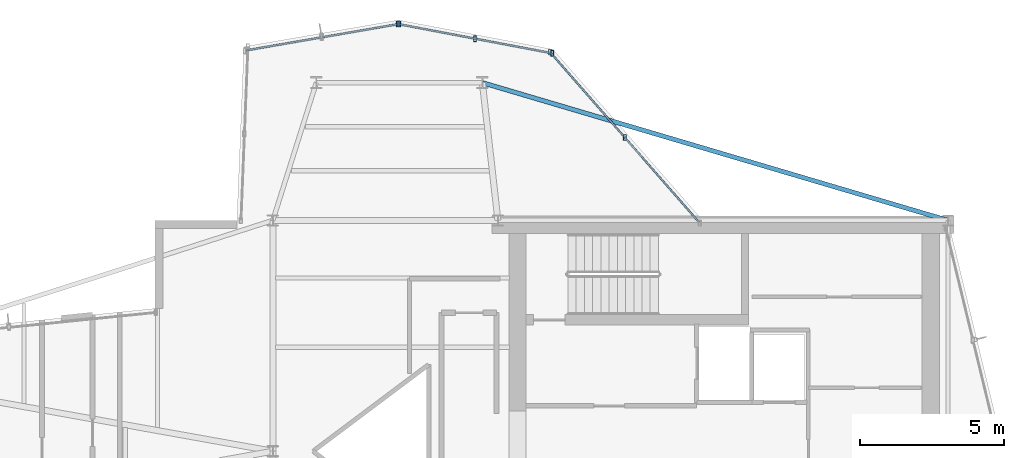
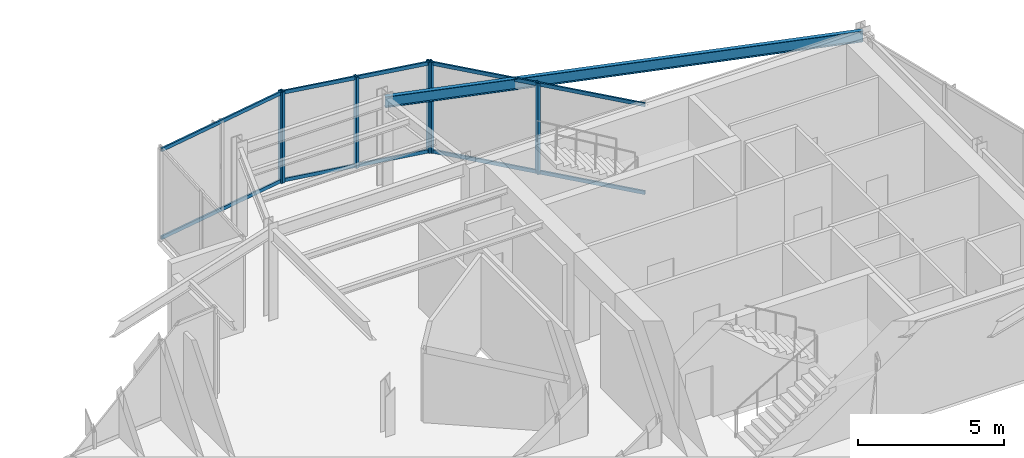
# One storey, part 7 of 15: 12 members, 1 beam, 3 elements without a shape of their own.
"""IFC4 building model written with IfcOpenShell, lengths in metres."""

from ifc_helpers import new_model, si_unit, direction, frame, origin, origin_2d, place, context, subcontext, project, spatial, hollow_rectangle, i_section, extrude, material, layer, layer_set, material_profile, profile_set, type_object, element, aggregate, save


model = new_model("IFC4")

# Units and contexts
model_context = context("Model", 3, precision=1e-05, world=origin(), true_north=direction((0.0, 1.0)))
body_context = subcontext(model_context, "Body", "Model", "MODEL_VIEW")
ifc_project = project(units=[si_unit("LENGTHUNIT", "METRE"), si_unit("AREAUNIT", "SQUARE_METRE"), si_unit("VOLUMEUNIT", "CUBIC_METRE"), si_unit("PLANEANGLEUNIT", "RADIAN"), si_unit("MASSUNIT", "GRAM", prefix="KILO")], contexts=[model_context])

# Site, building, storey
site_placement = place(None, origin())
site = spatial("IfcSite", under=ifc_project, at=site_placement, CompositionType="ELEMENT")
building_placement = place(site_placement, origin())
building = spatial("IfcBuilding", under=site, at=building_placement, Name="Veymaron Broadcast Tower", CompositionType="ELEMENT")
storey_placement = place(building_placement, frame((0.0, 0.0, 266.85009765625)))
storey = spatial("IfcBuildingStorey", under=building, at=storey_placement, Name="L62", CompositionType="ELEMENT", Elevation=266.85009765625)

# Beam
ifc_material_1 = material(Name="Structural steel ASTM A992 Gr 50", Category="steel")
ifc_material_profile_1 = material_profile(ifc_material_1, i_section(OverallWidth=0.154052734375, OverallDepth=0.458984375, WebThickness=0.009033203125, FlangeThickness=0.015380859375, at=origin_2d()), Name="W460X68")
ifc_profile_set_1 = profile_set([ifc_material_profile_1], Name="Structural steel ASTM A992 Gr 50")
beam_type = type_object("IfcBeamType", Name="BM-SP2", PredefinedType="SPANDREL", material=ifc_profile_set_1)
beam_placement = place(storey_placement, frame((54.60009765625, 32.0, 3.580322265625), z_axis=(-0.958955148663, 0.283557794556, 0.0), x_axis=(-0.283557794556, -0.958955148663, 0.0)))
element("IfcBeam", 1, at=beam_placement, inside=storey, type_object=beam_type, Name="L62 primary structural floor girder", PredefinedType="SPANDREL", context=body_context, shape_type="SweptSolid", body=[
    extrude(i_section(OverallWidth=0.154052734375, OverallDepth=0.458984375, WebThickness=0.009033203125, FlangeThickness=0.015380859375, at=origin_2d()), origin(), (0.0, 0.0, 1.0), 16.828857421875),
])

# Curtain wall, members
ifc_material_2 = material(Name="Anodised aluminium AA 6063-T6 and laminated low-E dark glass", Category="aluminium")
ifc_layer = layer(ifc_material_2, 0.179931640625)
ifc_layer_set = layer_set([ifc_layer], Name="Anodised aluminium AA 6063-T6 and laminated low-E dark glass")
curtain_wall_type = type_object("IfcCurtainWallType", Name="CW-SYS-06", PredefinedType="NOTDEFINED", material=ifc_layer_set)
curtain_wall_1_placement = place(storey_placement, origin())
curtain_wall_1 = element("IfcCurtainWall", 2, at=curtain_wall_1_placement, inside=storey, type_object=curtain_wall_type, Name="L62 dark-glass curtain wall CW-L62-E5-1", PredefinedType="NOTDEFINED")
ifc_material_3 = material(Name="Anodised aluminium AA 6063-T6", Category="aluminium")
ifc_material_profile_2 = material_profile(ifc_material_3, hollow_rectangle(XDim=0.10009765625, YDim=0.199951171875, WallThickness=0.010009765625, at=origin_2d()), Name="RHS200X100X10")
ifc_profile_set_2 = profile_set([ifc_material_profile_2], Name="Anodised aluminium AA 6063-T6")
member_type_1 = type_object("IfcMemberType", Name="CW-MUL-01", PredefinedType="MULLION", material=ifc_profile_set_2)
member_1_placement = place(storey_placement, frame((43.400146484375, 34.872314453125, 0.0), z_axis=(0.0, 0.0, 1.0), x_axis=(1.0, 0.0, 0.0)))
member_1 = element("IfcMember", 3, at=member_1_placement, type_object=member_type_1, Name="CW-L62-E5-1 mullion 1", PredefinedType="MULLION", context=body_context, shape_type="SweptSolid", body=[
    extrude(hollow_rectangle(XDim=0.10009765625, YDim=0.199951171875, WallThickness=0.010009765625, at=origin_2d()), origin(), (0.0, 0.0, 1.0), 3.809814453125),
])
member_2_placement = place(storey_placement, frame((40.805908203125, 37.836669921875, 0.0), z_axis=(0.0, 0.0, 1.0), x_axis=(1.0, 0.0, 0.0)))
member_2 = element("IfcMember", 4, at=member_2_placement, type_object=member_type_1, Name="CW-L62-E5-1 mullion 2", PredefinedType="MULLION", context=body_context, shape_type="SweptSolid", body=[
    extrude(hollow_rectangle(XDim=0.10009765625, YDim=0.199951171875, WallThickness=0.010009765625, at=origin_2d()), origin(), (0.0, 0.0, 1.0), 3.809814453125),
])

curtain_wall_2_placement = place(storey_placement, origin())
curtain_wall_2 = element("IfcCurtainWall", 5, at=curtain_wall_2_placement, inside=storey, type_object=curtain_wall_type, Name="L62 dark-glass curtain wall CW-L62-E6-1", PredefinedType="NOTDEFINED")
member_3_placement = place(storey_placement, frame((40.88525390625, 37.791259765625, 0.0), z_axis=(0.0, 0.0, 1.0), x_axis=(1.0, 0.0, 0.0)))
member_3 = element("IfcMember", 6, at=member_3_placement, type_object=member_type_1, Name="CW-L62-E6-1 mullion 0", PredefinedType="MULLION", context=body_context, shape_type="SweptSolid", body=[
    extrude(hollow_rectangle(XDim=0.10009765625, YDim=0.199951171875, WallThickness=0.010009765625, at=origin_2d()), origin(), (0.0, 0.0, 1.0), 3.809814453125),
])
member_4_placement = place(storey_placement, frame((38.206298828125, 38.299560546875, 0.0), z_axis=(0.0, 0.0, 1.0), x_axis=(1.0, 0.0, 0.0)))
member_4 = element("IfcMember", 7, at=member_4_placement, type_object=member_type_1, Name="CW-L62-E6-1 mullion 1", PredefinedType="MULLION", context=body_context, shape_type="SweptSolid", body=[
    extrude(hollow_rectangle(XDim=0.10009765625, YDim=0.199951171875, WallThickness=0.010009765625, at=origin_2d()), origin(), (0.0, 0.0, 1.0), 3.809814453125),
])
member_5_placement = place(storey_placement, frame((35.527099609375, 38.8076171875, 0.0), z_axis=(0.0, 0.0, 1.0), x_axis=(1.0, 0.0, 0.0)))
member_5 = element("IfcMember", 8, at=member_5_placement, type_object=member_type_1, Name="CW-L62-E6-1 mullion 2", PredefinedType="MULLION", context=body_context, shape_type="SweptSolid", body=[
    extrude(hollow_rectangle(XDim=0.10009765625, YDim=0.199951171875, WallThickness=0.010009765625, at=origin_2d()), origin(), (0.0, 0.0, 1.0), 3.809814453125),
])

# Curtain wall, member
curtain_wall_3_placement = place(storey_placement, origin())
curtain_wall_3 = element("IfcCurtainWall", 9, at=curtain_wall_3_placement, inside=storey, type_object=curtain_wall_type, Name="L62 dark-glass curtain wall CW-L62-E7-1", PredefinedType="NOTDEFINED")
member_6_placement = place(storey_placement, frame((35.576904296875, 38.80712890625, 0.0), z_axis=(0.0, 0.0, 1.0), x_axis=(1.0, 0.0, 0.0)))
member_6 = element("IfcMember", 10, at=member_6_placement, type_object=member_type_1, Name="CW-L62-E7-1 mullion 0", PredefinedType="MULLION", context=body_context, shape_type="SweptSolid", body=[
    extrude(hollow_rectangle(XDim=0.10009765625, YDim=0.199951171875, WallThickness=0.010009765625, at=origin_2d()), origin(), (0.0, 0.0, 1.0), 3.809814453125),
])

# Member
ifc_material_profile_3 = material_profile(ifc_material_3, hollow_rectangle(XDim=0.06494140625, YDim=0.14990234375, WallThickness=0.00390625, at=origin_2d()), Name="AL150X65X4")
ifc_profile_set_3 = profile_set([ifc_material_profile_3], Name="Anodised aluminium AA 6063-T6")
member_type_2 = type_object("IfcMemberType", Name="CW-TRN-01", PredefinedType="USERDEFINED", material=ifc_profile_set_3)
member_7_placement = place(storey_placement, frame((45.961669921875, 31.9453125, 0.06982421875), z_axis=(-0.658560155481, 0.752528086926, 0.0), x_axis=(-0.752528086926, -0.658560155481, 0.0)))
member_7 = element("IfcMember", 11, at=member_7_placement, type_object=member_type_2, Name="CW-L62-E5-1 transom B", ObjectType="TRANSOM", PredefinedType="USERDEFINED", context=body_context, shape_type="SweptSolid", body=[
    extrude(hollow_rectangle(XDim=0.06494140625, YDim=0.14990234375, WallThickness=0.00390625, at=origin_2d()), origin(), (0.0, 0.0, 1.0), 7.77880859375),
])

member_8_placement = place(storey_placement, frame((45.961669921875, 31.9453125, 3.739990234375), z_axis=(-0.658560155481, 0.752528086926, 0.0), x_axis=(-0.752528086926, -0.658560155481, 0.0)))
member_8 = element("IfcMember", 12, at=member_8_placement, type_object=member_type_2, Name="CW-L62-E5-1 transom T", ObjectType="TRANSOM", PredefinedType="USERDEFINED", context=body_context, shape_type="SweptSolid", body=[
    extrude(hollow_rectangle(XDim=0.06494140625, YDim=0.14990234375, WallThickness=0.00390625, at=origin_2d()), origin(), (0.0, 0.0, 1.0), 7.77880859375),
])

aggregate(curtain_wall_1, [member_1, member_2, member_7, member_8])

member_9_placement = place(storey_placement, frame((40.836181640625, 37.800537109375, 0.06982421875), z_axis=(-0.982479182854, 0.186372356478, 0.0), x_axis=(-0.186372356478, -0.982479182854, 0.0)))
member_9 = element("IfcMember", 13, at=member_9_placement, type_object=member_type_2, Name="CW-L62-E6-1 transom B", ObjectType="TRANSOM", PredefinedType="USERDEFINED", context=body_context, shape_type="SweptSolid", body=[
    extrude(hollow_rectangle(XDim=0.06494140625, YDim=0.14990234375, WallThickness=0.00390625, at=origin_2d()), origin(), (0.0, 0.0, 1.0), 5.353759765625),
])

member_10_placement = place(storey_placement, frame((40.836181640625, 37.800537109375, 3.739990234375), z_axis=(-0.982479182854, 0.186372356478, 0.0), x_axis=(-0.186372356478, -0.982479182854, 0.0)))
member_10 = element("IfcMember", 14, at=member_10_placement, type_object=member_type_2, Name="CW-L62-E6-1 transom T", ObjectType="TRANSOM", PredefinedType="USERDEFINED", context=body_context, shape_type="SweptSolid", body=[
    extrude(hollow_rectangle(XDim=0.06494140625, YDim=0.14990234375, WallThickness=0.00390625, at=origin_2d()), origin(), (0.0, 0.0, 1.0), 5.353759765625),
])

aggregate(curtain_wall_2, [member_3, member_4, member_5, member_9, member_10])

member_11_placement = place(storey_placement, frame((35.527587890625, 38.798583984375, 0.06982421875), z_axis=(-0.985454833095, -0.169937553031, 0.0), x_axis=(0.169937553031, -0.985454833095, 0.0)))
member_11 = element("IfcMember", 15, at=member_11_placement, type_object=member_type_2, Name="CW-L62-E7-1 transom B", ObjectType="TRANSOM", PredefinedType="USERDEFINED", context=body_context, shape_type="SweptSolid", body=[
    extrude(hollow_rectangle(XDim=0.06494140625, YDim=0.14990234375, WallThickness=0.00390625, at=origin_2d()), origin(), (0.0, 0.0, 1.0), 5.337158203125),
])

member_12_placement = place(storey_placement, frame((35.527587890625, 38.798583984375, 3.739990234375), z_axis=(-0.985454833095, -0.169937553031, 0.0), x_axis=(0.169937553031, -0.985454833095, 0.0)))
member_12 = element("IfcMember", 16, at=member_12_placement, type_object=member_type_2, Name="CW-L62-E7-1 transom T", ObjectType="TRANSOM", PredefinedType="USERDEFINED", context=body_context, shape_type="SweptSolid", body=[
    extrude(hollow_rectangle(XDim=0.06494140625, YDim=0.14990234375, WallThickness=0.00390625, at=origin_2d()), origin(), (0.0, 0.0, 1.0), 5.337158203125),
])

aggregate(curtain_wall_3, [member_6, member_11, member_12])

save(model, "model.ifc")
